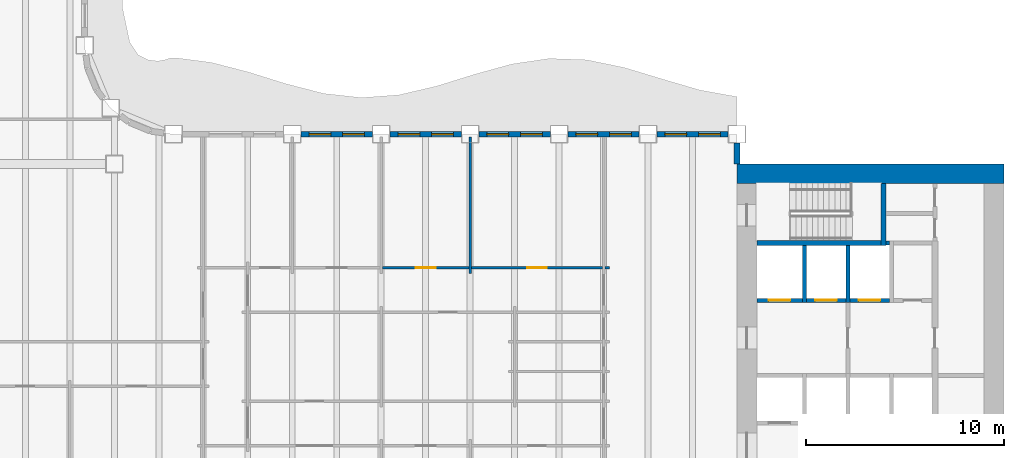
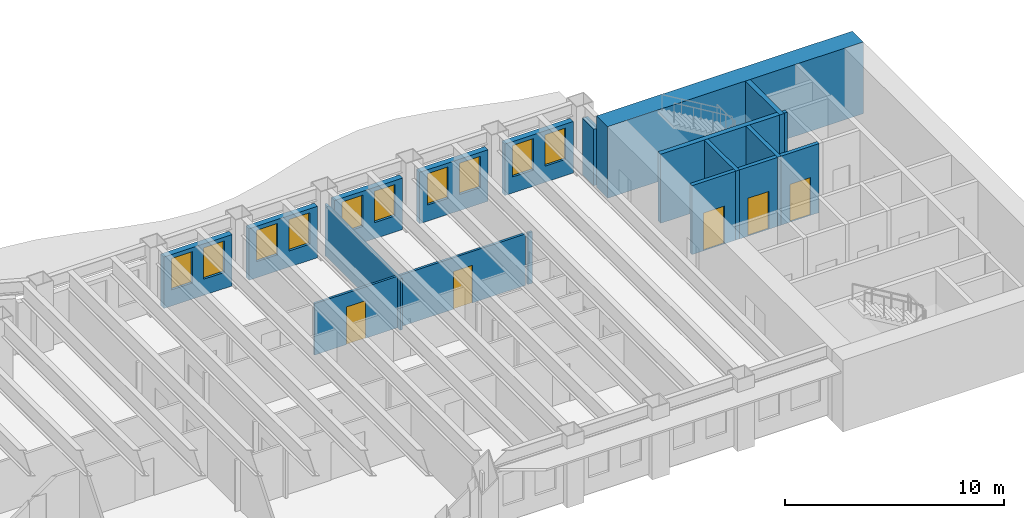
# One storey, part 7 of 16: 19 walls, 10 windows, 5 doors, 15 openings.
"""IFC4 building model written with IfcOpenShell, lengths in metres."""

from ifc_helpers import new_model, si_unit, direction, frame, frame_2d, origin, place, context, subcontext, project, spatial, rectangle, extrude, material, layer, layer_set, type_object, element, fill, save


model = new_model("IFC4")

# Units and contexts
model_context = context("Model", 3, precision=1e-05, world=origin(), true_north=direction((0.0, 1.0)))
body_context = subcontext(model_context, "Body", "Model", "MODEL_VIEW")
ifc_project = project(units=[si_unit("LENGTHUNIT", "METRE"), si_unit("AREAUNIT", "SQUARE_METRE"), si_unit("VOLUMEUNIT", "CUBIC_METRE"), si_unit("PLANEANGLEUNIT", "RADIAN"), si_unit("MASSUNIT", "GRAM", prefix="KILO")], contexts=[model_context])

# Site, building, storey
site_placement = place(None, origin())
site = spatial("IfcSite", under=ifc_project, at=site_placement, CompositionType="ELEMENT")
building_placement = place(site_placement, origin())
building = spatial("IfcBuilding", under=site, at=building_placement, Name="Sennacour Bend Tower", CompositionType="ELEMENT")
storey_placement = place(building_placement, frame((0.0, 0.0, 171.0)))
storey = spatial("IfcBuildingStorey", under=building, at=storey_placement, Name="L39", CompositionType="ELEMENT", Elevation=171.0)

# Walls
ifc_material_1 = material(Name="Concrete C60/75", Category="concrete")
ifc_layer_1 = layer(ifc_material_1, 1.0, Name="Concrete C60/75", Category="concrete")
ifc_layer_set_1 = layer_set([ifc_layer_1], Name="Concrete C60/75")
wall_type_1 = type_object("IfcWallType", Name="Core wall 1000 C60/75", PredefinedType="SHEAR", material=ifc_layer_set_1)
wall_1_placement = place(storey_placement, frame((54.0, 22.0, -0.14990234375), z_axis=(0.0, 0.0, 1.0), x_axis=(1.0, 0.0, 0.0)))
element("IfcWall", 1, at=wall_1_placement, inside=storey, type_object=wall_type_1, Name="Core A wall L39 N", PredefinedType="SHEAR", context=body_context, shape_type="SweptSolid", body=[
    extrude(rectangle(XDim=13.5, YDim=1.0, at=frame_2d((6.75, 0.0))), origin(), (0.0, 0.0, 1.0), 4.0),
])
ifc_material_2 = material(Name="Plasterboard partition on steel studs", Category="steel")
ifc_layer_2 = layer(ifc_material_2, 0.1201171875, Name="Plasterboard partition on steel studs", Category="steel")
ifc_layer_set_2 = layer_set([ifc_layer_2], Name="Plasterboard partition on steel studs")
wall_type_2 = type_object("IfcWallType", Name="Partition 120", PredefinedType="PARTITIONING", material=ifc_layer_set_2)
wall_2_placement = place(storey_placement, frame((40.5, 16.949951171875, 0.0), z_axis=(0.0, 0.0, 1.0), x_axis=(0.0, 1.0, 0.0)))
element("IfcWall", 2, at=wall_2_placement, inside=storey, type_object=wall_type_2, Name="P-L39-W034a", PredefinedType="PARTITIONING", context=body_context, shape_type="SweptSolid", body=[
    extrude(rectangle(XDim=6.900146484375, YDim=0.1201171875, at=frame_2d((3.4501953125, 0.0))), origin(), (0.0, 0.0, 1.0), 2.8701171875),
])

# Wall, opening, door
wall_3_placement = place(storey_placement, frame((36.06005859375, 17.25, 0.0), z_axis=(0.0, 0.0, 1.0), x_axis=(1.0, 0.0, 0.0)))
wall_3 = element("IfcWall", 3, at=wall_3_placement, inside=storey, type_object=wall_type_2, Name="P-L39-W073ae", PredefinedType="PARTITIONING", context=body_context, shape_type="SweptSolid", body=[
    extrude(rectangle(XDim=4.3798828125, YDim=0.1201171875, at=frame_2d((2.18994140625, 0.0))), origin(), (0.0, 0.0, 1.0), 2.8701171875),
])
opening_1_placement = place(wall_3_placement, frame((1.68994140625, 0.0, 0.0)))
opening_1 = element("IfcOpeningElement", 4, at=opening_1_placement, cuts=wall_3, Name="Opening MD2", PredefinedType="OPENING", context=body_context, shape_type="SweptSolid", body=[
    extrude(rectangle(XDim=1.0, YDim=2.10009765625, at=frame_2d((0.5, 1.050048828125))), frame((0.0, 0.070068359375, 0.0), z_axis=(0.0, -1.0, 0.0), x_axis=(1.0, 0.0, 0.0)), (0.0, 0.0, 1.0), 0.14013671875),
])
ifc_material_3 = material(Name="Timber", Category="wood")
door_type_1 = type_object("IfcDoorType", Name="DR-MEETING-1000", OperationType="NOTDEFINED", PredefinedType="DOOR", material=ifc_material_3)
door_1_placement = place(opening_1_placement, origin())
door_1 = element("IfcDoor", 5, at=door_1_placement, inside=storey, type_object=door_type_1, Name="Door", OperationType="SINGLE_SWING_LEFT", OverallHeight=2.10009765625, OverallWidth=1.0, PredefinedType="DOOR", context=body_context, shape_type="SweptSolid", body=[
    extrude(rectangle(XDim=1.0, YDim=2.10009765625, at=frame_2d((0.5, 1.050048828125))), frame((0.0, 0.02490234375, 0.0), z_axis=(0.0, -1.0, 0.0), x_axis=(1.0, 0.0, 0.0)), (0.0, 0.0, 1.0), 0.050048828125),
])
fill(opening_1, door_1)

wall_4_placement = place(storey_placement, frame((40.56005859375, 17.25, 0.0), z_axis=(0.0, 0.0, 1.0), x_axis=(1.0, 0.0, 0.0)))
wall_4 = element("IfcWall", 6, at=wall_4_placement, inside=storey, type_object=wall_type_2, Name="P-L39-W073af", PredefinedType="PARTITIONING", context=body_context, shape_type="SweptSolid", body=[
    extrude(rectangle(XDim=6.6298828125, YDim=0.1201171875, at=frame_2d((3.31494140625, 0.0))), origin(), (0.0, 0.0, 1.0), 2.8701171875),
])
opening_2_placement = place(wall_4_placement, frame((2.81494140625, 0.0, 0.0)))
opening_2 = element("IfcOpeningElement", 7, at=opening_2_placement, cuts=wall_4, Name="Opening OD2", PredefinedType="OPENING", context=body_context, shape_type="SweptSolid", body=[
    extrude(rectangle(XDim=1.0, YDim=2.10009765625, at=frame_2d((0.5, 1.050048828125))), frame((0.0, 0.070068359375, 0.0), z_axis=(0.0, -1.0, 0.0), x_axis=(1.0, 0.0, 0.0)), (0.0, 0.0, 1.0), 0.14013671875),
])
door_type_2 = type_object("IfcDoorType", Name="DR-OFFICE-1000", OperationType="NOTDEFINED", PredefinedType="DOOR", material=ifc_material_3)
door_2_placement = place(opening_2_placement, origin())
door_2 = element("IfcDoor", 8, at=door_2_placement, inside=storey, type_object=door_type_2, Name="Door", OperationType="SINGLE_SWING_LEFT", OverallHeight=2.10009765625, OverallWidth=1.0, PredefinedType="DOOR", context=body_context, shape_type="SweptSolid", body=[
    extrude(rectangle(XDim=1.0, YDim=2.10009765625, at=frame_2d((0.5, 1.050048828125))), frame((0.0, 0.02490234375, 0.0), z_axis=(0.0, -1.0, 0.0), x_axis=(1.0, 0.0, 0.0)), (0.0, 0.0, 1.0), 0.050048828125),
])
fill(opening_2, door_2)

# Walls
wall_5_placement = place(storey_placement, frame((47.31005859375, 17.25, 0.0), z_axis=(0.0, 0.0, 1.0), x_axis=(1.0, 0.0, 0.0)))
element("IfcWall", 9, at=wall_5_placement, inside=storey, type_object=wall_type_2, Name="P-L39-W073ag", PredefinedType="PARTITIONING", context=body_context, shape_type="SweptSolid", body=[
    extrude(rectangle(XDim=0.239990234375, YDim=0.1201171875, at=frame_2d((0.1201171875, 0.0))), origin(), (0.0, 0.0, 1.0), 2.8701171875),
])
ifc_material_4 = material(Name="Warm limestone cladding", Category="masonry")
ifc_layer_3 = layer(ifc_material_4, 0.050048828125, Name="Warm limestone cladding", Category="masonry")
ifc_material_5 = material(Name="Precast concrete C40/50", Category="concrete")
ifc_layer_4 = layer(ifc_material_5, 0.25, Name="Precast concrete C40/50", Category="concrete")
ifc_layer_set_3 = layer_set([ifc_layer_3, ifc_layer_4], Name="Precast concrete C40/50 with limestone cladding")
wall_type_3 = type_object("IfcWallType", Name="STONE-CLAD PRECAST SPANDREL 300", PredefinedType="STANDARD", material=ifc_layer_set_3)
wall_6_placement = place(storey_placement, frame((54.0, 22.5, 0.0), z_axis=(0.0, 0.0, 1.0), x_axis=(0.0, 1.0, 0.0)))
element("IfcWall", 10, at=wall_6_placement, inside=storey, type_object=wall_type_3, Name="Stone spandrel and pier wall L39 07.00", PredefinedType="STANDARD", context=body_context, shape_type="SweptSolid", body=[
    extrude(rectangle(XDim=1.050048828125, YDim=0.300048828125, at=frame_2d((0.52490234375, 0.0))), origin(), (0.0, 0.0, 1.0), 3.14892578125),
])

# Wall, openings, windows
wall_7_placement = place(storey_placement, frame((53.550048828125, 24.0, 0.0), z_axis=(0.0, 0.0, 1.0), x_axis=(-1.0, 0.0, 0.0)))
wall_7 = element("IfcWall", 11, at=wall_7_placement, inside=storey, type_object=wall_type_3, Name="Stone spandrel and pier wall L39 08.00", PredefinedType="STANDARD", context=body_context, shape_type="SweptSolid", body=[
    extrude(rectangle(XDim=3.60009765625, YDim=0.300048828125, at=frame_2d((1.800048828125, 0.0))), origin(), (0.0, 0.0, 1.0), 2.8701171875),
])
opening_3_placement = place(wall_7_placement, frame((0.39990234375, 0.0, 0.89990234375)))
opening_3 = element("IfcOpeningElement", 12, at=opening_3_placement, cuts=wall_7, Name="Opening W17", PredefinedType="OPENING", context=body_context, shape_type="SweptSolid", body=[
    extrude(rectangle(XDim=1.10009765625, YDim=1.75, at=frame_2d((0.550048828125, 0.875))), frame((0.0, 0.16015625, 0.0), z_axis=(0.0, -1.0, 0.0), x_axis=(1.0, 0.0, 0.0)), (0.0, 0.0, 1.0), 0.320068359375),
])
opening_4_placement = place(wall_7_placement, frame((2.10009765625, 0.0, 0.89990234375)))
opening_4 = element("IfcOpeningElement", 13, at=opening_4_placement, cuts=wall_7, Name="Opening W17", PredefinedType="OPENING", context=body_context, shape_type="SweptSolid", body=[
    extrude(rectangle(XDim=1.10009765625, YDim=1.75, at=frame_2d((0.550048828125, 0.875))), frame((0.0, 0.16015625, 0.0), z_axis=(0.0, -1.0, 0.0), x_axis=(1.0, 0.0, 0.0)), (0.0, 0.0, 1.0), 0.320068359375),
])
ifc_material_6 = material(Name="Clear low-emissivity glass", Category="glass")
window_type = type_object("IfcWindowType", Name="WIN-RIBBON-1100x1750", PartitioningType="SINGLE_PANEL", PredefinedType="WINDOW", material=ifc_material_6)
window_1_placement = place(opening_3_placement, origin())
window_1 = element("IfcWindow", 14, at=window_1_placement, inside=storey, type_object=window_type, Name="Ribbon window L39 08.00.0", OverallHeight=1.75, OverallWidth=1.10009765625, PartitioningType="SINGLE_PANEL", PredefinedType="WINDOW", context=body_context, shape_type="SweptSolid", body=[
    extrude(rectangle(XDim=1.10009765625, YDim=1.75, at=frame_2d((0.550048828125, 0.875))), frame((0.0, 0.030029296875, 0.0), z_axis=(0.0, -1.0, 0.0), x_axis=(1.0, 0.0, 0.0)), (0.0, 0.0, 1.0), 0.06005859375),
])
fill(opening_3, window_1)
window_2_placement = place(opening_4_placement, origin())
window_2 = element("IfcWindow", 15, at=window_2_placement, inside=storey, type_object=window_type, Name="Ribbon window L39 08.00.1", OverallHeight=1.75, OverallWidth=1.10009765625, PartitioningType="SINGLE_PANEL", PredefinedType="WINDOW", context=body_context, shape_type="SweptSolid", body=[
    extrude(rectangle(XDim=1.10009765625, YDim=1.75, at=frame_2d((0.550048828125, 0.875))), frame((0.0, 0.030029296875, 0.0), z_axis=(0.0, -1.0, 0.0), x_axis=(1.0, 0.0, 0.0)), (0.0, 0.0, 1.0), 0.06005859375),
])
fill(opening_4, window_2)

wall_8_placement = place(storey_placement, frame((49.050048828125, 24.0, 0.0), z_axis=(0.0, 0.0, 1.0), x_axis=(-1.0, 0.0, 0.0)))
wall_8 = element("IfcWall", 16, at=wall_8_placement, inside=storey, type_object=wall_type_3, Name="Stone spandrel and pier wall L39 08.01", PredefinedType="STANDARD", context=body_context, shape_type="SweptSolid", body=[
    extrude(rectangle(XDim=3.60009765625, YDim=0.300048828125, at=frame_2d((1.800048828125, 0.0))), origin(), (0.0, 0.0, 1.0), 2.8701171875),
])
opening_5_placement = place(wall_8_placement, frame((0.39990234375, 0.0, 0.89990234375)))
opening_5 = element("IfcOpeningElement", 17, at=opening_5_placement, cuts=wall_8, Name="Opening W17", PredefinedType="OPENING", context=body_context, shape_type="SweptSolid", body=[
    extrude(rectangle(XDim=1.10009765625, YDim=1.75, at=frame_2d((0.550048828125, 0.875))), frame((0.0, 0.16015625, 0.0), z_axis=(0.0, -1.0, 0.0), x_axis=(1.0, 0.0, 0.0)), (0.0, 0.0, 1.0), 0.320068359375),
])
opening_6_placement = place(wall_8_placement, frame((2.10009765625, 0.0, 0.89990234375)))
opening_6 = element("IfcOpeningElement", 18, at=opening_6_placement, cuts=wall_8, Name="Opening W17", PredefinedType="OPENING", context=body_context, shape_type="SweptSolid", body=[
    extrude(rectangle(XDim=1.10009765625, YDim=1.75, at=frame_2d((0.550048828125, 0.875))), frame((0.0, 0.16015625, 0.0), z_axis=(0.0, -1.0, 0.0), x_axis=(1.0, 0.0, 0.0)), (0.0, 0.0, 1.0), 0.320068359375),
])
window_3_placement = place(opening_5_placement, origin())
window_3 = element("IfcWindow", 19, at=window_3_placement, inside=storey, type_object=window_type, Name="Ribbon window L39 08.01.0", OverallHeight=1.75, OverallWidth=1.10009765625, PartitioningType="SINGLE_PANEL", PredefinedType="WINDOW", context=body_context, shape_type="SweptSolid", body=[
    extrude(rectangle(XDim=1.10009765625, YDim=1.75, at=frame_2d((0.550048828125, 0.875))), frame((0.0, 0.030029296875, 0.0), z_axis=(0.0, -1.0, 0.0), x_axis=(1.0, 0.0, 0.0)), (0.0, 0.0, 1.0), 0.06005859375),
])
fill(opening_5, window_3)
window_4_placement = place(opening_6_placement, origin())
window_4 = element("IfcWindow", 20, at=window_4_placement, inside=storey, type_object=window_type, Name="Ribbon window L39 08.01.1", OverallHeight=1.75, OverallWidth=1.10009765625, PartitioningType="SINGLE_PANEL", PredefinedType="WINDOW", context=body_context, shape_type="SweptSolid", body=[
    extrude(rectangle(XDim=1.10009765625, YDim=1.75, at=frame_2d((0.550048828125, 0.875))), frame((0.0, 0.030029296875, 0.0), z_axis=(0.0, -1.0, 0.0), x_axis=(1.0, 0.0, 0.0)), (0.0, 0.0, 1.0), 0.06005859375),
])
fill(opening_6, window_4)

wall_9_placement = place(storey_placement, frame((44.550048828125, 24.0, 0.0), z_axis=(0.0, 0.0, 1.0), x_axis=(-1.0, 0.0, 0.0)))
wall_9 = element("IfcWall", 21, at=wall_9_placement, inside=storey, type_object=wall_type_3, Name="Stone spandrel and pier wall L39 08.02", PredefinedType="STANDARD", context=body_context, shape_type="SweptSolid", body=[
    extrude(rectangle(XDim=3.60009765625, YDim=0.300048828125, at=frame_2d((1.800048828125, 0.0))), origin(), (0.0, 0.0, 1.0), 2.8701171875),
])
opening_7_placement = place(wall_9_placement, frame((0.39990234375, 0.0, 0.89990234375)))
opening_7 = element("IfcOpeningElement", 22, at=opening_7_placement, cuts=wall_9, Name="Opening W17", PredefinedType="OPENING", context=body_context, shape_type="SweptSolid", body=[
    extrude(rectangle(XDim=1.10009765625, YDim=1.75, at=frame_2d((0.550048828125, 0.875))), frame((0.0, 0.16015625, 0.0), z_axis=(0.0, -1.0, 0.0), x_axis=(1.0, 0.0, 0.0)), (0.0, 0.0, 1.0), 0.320068359375),
])
opening_8_placement = place(wall_9_placement, frame((2.10009765625, 0.0, 0.89990234375)))
opening_8 = element("IfcOpeningElement", 23, at=opening_8_placement, cuts=wall_9, Name="Opening W17", PredefinedType="OPENING", context=body_context, shape_type="SweptSolid", body=[
    extrude(rectangle(XDim=1.10009765625, YDim=1.75, at=frame_2d((0.550048828125, 0.875))), frame((0.0, 0.16015625, 0.0), z_axis=(0.0, -1.0, 0.0), x_axis=(1.0, 0.0, 0.0)), (0.0, 0.0, 1.0), 0.320068359375),
])
window_5_placement = place(opening_7_placement, origin())
window_5 = element("IfcWindow", 24, at=window_5_placement, inside=storey, type_object=window_type, Name="Ribbon window L39 08.02.0", OverallHeight=1.75, OverallWidth=1.10009765625, PartitioningType="SINGLE_PANEL", PredefinedType="WINDOW", context=body_context, shape_type="SweptSolid", body=[
    extrude(rectangle(XDim=1.10009765625, YDim=1.75, at=frame_2d((0.550048828125, 0.875))), frame((0.0, 0.030029296875, 0.0), z_axis=(0.0, -1.0, 0.0), x_axis=(1.0, 0.0, 0.0)), (0.0, 0.0, 1.0), 0.06005859375),
])
fill(opening_7, window_5)
window_6_placement = place(opening_8_placement, origin())
window_6 = element("IfcWindow", 25, at=window_6_placement, inside=storey, type_object=window_type, Name="Ribbon window L39 08.02.1", OverallHeight=1.75, OverallWidth=1.10009765625, PartitioningType="SINGLE_PANEL", PredefinedType="WINDOW", context=body_context, shape_type="SweptSolid", body=[
    extrude(rectangle(XDim=1.10009765625, YDim=1.75, at=frame_2d((0.550048828125, 0.875))), frame((0.0, 0.030029296875, 0.0), z_axis=(0.0, -1.0, 0.0), x_axis=(1.0, 0.0, 0.0)), (0.0, 0.0, 1.0), 0.06005859375),
])
fill(opening_8, window_6)

wall_10_placement = place(storey_placement, frame((40.050048828125, 24.0, 0.0), z_axis=(0.0, 0.0, 1.0), x_axis=(-1.0, 0.0, 0.0)))
wall_10 = element("IfcWall", 26, at=wall_10_placement, inside=storey, type_object=wall_type_3, Name="Stone spandrel and pier wall L39 08.03", PredefinedType="STANDARD", context=body_context, shape_type="SweptSolid", body=[
    extrude(rectangle(XDim=3.60009765625, YDim=0.300048828125, at=frame_2d((1.800048828125, 0.0))), origin(), (0.0, 0.0, 1.0), 2.8701171875),
])
opening_9_placement = place(wall_10_placement, frame((0.39990234375, 0.0, 0.89990234375)))
opening_9 = element("IfcOpeningElement", 27, at=opening_9_placement, cuts=wall_10, Name="Opening W17", PredefinedType="OPENING", context=body_context, shape_type="SweptSolid", body=[
    extrude(rectangle(XDim=1.10009765625, YDim=1.75, at=frame_2d((0.550048828125, 0.875))), frame((0.0, 0.16015625, 0.0), z_axis=(0.0, -1.0, 0.0), x_axis=(1.0, 0.0, 0.0)), (0.0, 0.0, 1.0), 0.320068359375),
])
opening_10_placement = place(wall_10_placement, frame((2.10009765625, 0.0, 0.89990234375)))
opening_10 = element("IfcOpeningElement", 28, at=opening_10_placement, cuts=wall_10, Name="Opening W17", PredefinedType="OPENING", context=body_context, shape_type="SweptSolid", body=[
    extrude(rectangle(XDim=1.10009765625, YDim=1.75, at=frame_2d((0.550048828125, 0.875))), frame((0.0, 0.16015625, 0.0), z_axis=(0.0, -1.0, 0.0), x_axis=(1.0, 0.0, 0.0)), (0.0, 0.0, 1.0), 0.320068359375),
])
window_7_placement = place(opening_9_placement, origin())
window_7 = element("IfcWindow", 29, at=window_7_placement, inside=storey, type_object=window_type, Name="Ribbon window L39 08.03.0", OverallHeight=1.75, OverallWidth=1.10009765625, PartitioningType="SINGLE_PANEL", PredefinedType="WINDOW", context=body_context, shape_type="SweptSolid", body=[
    extrude(rectangle(XDim=1.10009765625, YDim=1.75, at=frame_2d((0.550048828125, 0.875))), frame((0.0, 0.030029296875, 0.0), z_axis=(0.0, -1.0, 0.0), x_axis=(1.0, 0.0, 0.0)), (0.0, 0.0, 1.0), 0.06005859375),
])
fill(opening_9, window_7)
window_8_placement = place(opening_10_placement, origin())
window_8 = element("IfcWindow", 30, at=window_8_placement, inside=storey, type_object=window_type, Name="Ribbon window L39 08.03.1", OverallHeight=1.75, OverallWidth=1.10009765625, PartitioningType="SINGLE_PANEL", PredefinedType="WINDOW", context=body_context, shape_type="SweptSolid", body=[
    extrude(rectangle(XDim=1.10009765625, YDim=1.75, at=frame_2d((0.550048828125, 0.875))), frame((0.0, 0.030029296875, 0.0), z_axis=(0.0, -1.0, 0.0), x_axis=(1.0, 0.0, 0.0)), (0.0, 0.0, 1.0), 0.06005859375),
])
fill(opening_10, window_8)

wall_11_placement = place(storey_placement, frame((35.550048828125, 24.0, 0.0), z_axis=(0.0, 0.0, 1.0), x_axis=(-1.0, 0.0, 0.0)))
wall_11 = element("IfcWall", 31, at=wall_11_placement, inside=storey, type_object=wall_type_3, Name="Stone spandrel and pier wall L39 08.04", PredefinedType="STANDARD", context=body_context, shape_type="SweptSolid", body=[
    extrude(rectangle(XDim=3.60009765625, YDim=0.300048828125, at=frame_2d((1.800048828125, 0.0))), origin(), (0.0, 0.0, 1.0), 2.8701171875),
])
opening_11_placement = place(wall_11_placement, frame((0.39990234375, 0.0, 0.89990234375)))
opening_11 = element("IfcOpeningElement", 32, at=opening_11_placement, cuts=wall_11, Name="Opening W17", PredefinedType="OPENING", context=body_context, shape_type="SweptSolid", body=[
    extrude(rectangle(XDim=1.10009765625, YDim=1.75, at=frame_2d((0.550048828125, 0.875))), frame((0.0, 0.16015625, 0.0), z_axis=(0.0, -1.0, 0.0), x_axis=(1.0, 0.0, 0.0)), (0.0, 0.0, 1.0), 0.320068359375),
])
opening_12_placement = place(wall_11_placement, frame((2.10009765625, 0.0, 0.89990234375)))
opening_12 = element("IfcOpeningElement", 33, at=opening_12_placement, cuts=wall_11, Name="Opening W17", PredefinedType="OPENING", context=body_context, shape_type="SweptSolid", body=[
    extrude(rectangle(XDim=1.10009765625, YDim=1.75, at=frame_2d((0.550048828125, 0.875))), frame((0.0, 0.16015625, 0.0), z_axis=(0.0, -1.0, 0.0), x_axis=(1.0, 0.0, 0.0)), (0.0, 0.0, 1.0), 0.320068359375),
])
window_9_placement = place(opening_11_placement, origin())
window_9 = element("IfcWindow", 34, at=window_9_placement, inside=storey, type_object=window_type, Name="Ribbon window L39 08.04.0", OverallHeight=1.75, OverallWidth=1.10009765625, PartitioningType="SINGLE_PANEL", PredefinedType="WINDOW", context=body_context, shape_type="SweptSolid", body=[
    extrude(rectangle(XDim=1.10009765625, YDim=1.75, at=frame_2d((0.550048828125, 0.875))), frame((0.0, 0.030029296875, 0.0), z_axis=(0.0, -1.0, 0.0), x_axis=(1.0, 0.0, 0.0)), (0.0, 0.0, 1.0), 0.06005859375),
])
fill(opening_11, window_9)
window_10_placement = place(opening_12_placement, origin())
window_10 = element("IfcWindow", 35, at=window_10_placement, inside=storey, type_object=window_type, Name="Ribbon window L39 08.04.1", OverallHeight=1.75, OverallWidth=1.10009765625, PartitioningType="SINGLE_PANEL", PredefinedType="WINDOW", context=body_context, shape_type="SweptSolid", body=[
    extrude(rectangle(XDim=1.10009765625, YDim=1.75, at=frame_2d((0.550048828125, 0.875))), frame((0.0, 0.030029296875, 0.0), z_axis=(0.0, -1.0, 0.0), x_axis=(1.0, 0.0, 0.0)), (0.0, 0.0, 1.0), 0.06005859375),
])
fill(opening_12, window_10)

# Walls
ifc_material_7 = material(Name="Concrete C50/60", Category="concrete")
ifc_layer_5 = layer(ifc_material_7, 0.199951171875, Name="Concrete C50/60", Category="concrete")
ifc_layer_set_4 = layer_set([ifc_layer_5], Name="Concrete C50/60")
wall_type_4 = type_object("IfcWallType", Name="Shaft wall 200", PredefinedType="SOLIDWALL", material=ifc_layer_set_4)
for number, where, z_axis, x_axis, name in (
    (36, (57.39990234375, 15.5, 0.0), (0.0, 0.0, 1.0), (0.0, 1.0, 0.0), "P-L39-W039"),
    (37, (59.60009765625, 15.5, 0.0), (0.0, 0.0, 1.0), (0.0, 1.0, 0.0), "P-L39-W042"),
):
    element("IfcWall", number, at=place(storey_placement, frame(where, z_axis=z_axis, x_axis=x_axis)), inside=storey, type_object=wall_type_4, Name=name, PredefinedType="SOLIDWALL", context=body_context, shape_type="SweptSolid", body=[
        extrude(rectangle(XDim=2.875, YDim=0.199951171875, at=frame_2d((1.4375, 0.0))), origin(), (0.0, 0.0, 1.0), 3.85009765625),
    ])

# Wall, opening, door
wall_12_placement = place(storey_placement, frame((55.0, 15.60009765625, 0.0), z_axis=(0.0, 0.0, 1.0), x_axis=(1.0, 0.0, 0.0)))
wall_12 = element("IfcWall", 38, at=wall_12_placement, inside=storey, type_object=wall_type_4, Name="P-L39-W071a", PredefinedType="SOLIDWALL", context=body_context, shape_type="SweptSolid", body=[
    extrude(rectangle(XDim=2.300048828125, YDim=0.199951171875, at=frame_2d((1.14990234375, 0.0))), origin(), (0.0, 0.0, 1.0), 3.85009765625),
])
opening_13_placement = place(wall_12_placement, frame((0.60009765625, 0.0, 0.011962890625)))
opening_13 = element("IfcOpeningElement", 39, at=opening_13_placement, cuts=wall_12, Name="Opening FLD", PredefinedType="OPENING", context=body_context, shape_type="SweptSolid", body=[
    extrude(rectangle(XDim=1.10009765625, YDim=2.10009765625, at=frame_2d((0.550048828125, 1.050048828125))), frame((0.0, 0.10986328125, 0.0), z_axis=(0.0, -1.0, 0.0), x_axis=(1.0, 0.0, 0.0)), (0.0, 0.0, 1.0), 0.219970703125),
])
ifc_material_8 = material(Name="Stainless steel", Category="steel")
door_type_3 = type_object("IfcDoorType", Name="DR-FF-LANDING-1100", OperationType="NOTDEFINED", PredefinedType="DOOR", material=ifc_material_8)
door_3_placement = place(opening_13_placement, origin())
door_3 = element("IfcDoor", 40, at=door_3_placement, inside=storey, type_object=door_type_3, Name="Fire service lift landing door FA1", OperationType="SLIDING_TO_LEFT", OverallHeight=2.10009765625, OverallWidth=1.10009765625, PredefinedType="DOOR", context=body_context, shape_type="SweptSolid", body=[
    extrude(rectangle(XDim=1.10009765625, YDim=2.10009765625, at=frame_2d((0.550048828125, 1.050048828125))), frame((0.0, 0.02490234375, 0.0), z_axis=(0.0, -1.0, 0.0), x_axis=(1.0, 0.0, 0.0)), (0.0, 0.0, 1.0), 0.050048828125),
])
fill(opening_13, door_3)

wall_13_placement = place(storey_placement, frame((57.5, 15.60009765625, 0.0), z_axis=(0.0, 0.0, 1.0), x_axis=(1.0, 0.0, 0.0)))
wall_13 = element("IfcWall", 41, at=wall_13_placement, inside=storey, type_object=wall_type_4, Name="P-L39-W071b", PredefinedType="SOLIDWALL", context=body_context, shape_type="SweptSolid", body=[
    extrude(rectangle(XDim=2.0, YDim=0.199951171875, at=frame_2d((1.0, 0.0))), origin(), (0.0, 0.0, 1.0), 3.85009765625),
])
opening_14_placement = place(wall_13_placement, frame((0.449951171875, 0.0, 0.011962890625)))
opening_14 = element("IfcOpeningElement", 42, at=opening_14_placement, cuts=wall_13, Name="Opening FLD", PredefinedType="OPENING", context=body_context, shape_type="SweptSolid", body=[
    extrude(rectangle(XDim=1.10009765625, YDim=2.10009765625, at=frame_2d((0.550048828125, 1.050048828125))), frame((0.0, 0.10986328125, 0.0), z_axis=(0.0, -1.0, 0.0), x_axis=(1.0, 0.0, 0.0)), (0.0, 0.0, 1.0), 0.219970703125),
])
door_4_placement = place(opening_14_placement, origin())
door_4 = element("IfcDoor", 43, at=door_4_placement, inside=storey, type_object=door_type_3, Name="Fire service lift landing door FA2", OperationType="SLIDING_TO_RIGHT", OverallHeight=2.10009765625, OverallWidth=1.10009765625, PredefinedType="DOOR", context=body_context, shape_type="SweptSolid", body=[
    extrude(rectangle(XDim=1.10009765625, YDim=2.10009765625, at=frame_2d((0.550048828125, 1.050048828125))), frame((0.0, 0.02490234375, 0.0), z_axis=(0.0, -1.0, 0.0), x_axis=(1.0, 0.0, 0.0)), (0.0, 0.0, 1.0), 0.050048828125),
])
fill(opening_14, door_4)

wall_14_placement = place(storey_placement, frame((59.699951171875, 15.60009765625, 0.0), z_axis=(0.0, 0.0, 1.0), x_axis=(1.0, 0.0, 0.0)))
wall_14 = element("IfcWall", 44, at=wall_14_placement, inside=storey, type_object=wall_type_4, Name="P-L39-W071c", PredefinedType="SOLIDWALL", context=body_context, shape_type="SweptSolid", body=[
    extrude(rectangle(XDim=2.0, YDim=0.199951171875, at=frame_2d((1.0, 0.0))), origin(), (0.0, 0.0, 1.0), 3.85009765625),
])
opening_15_placement = place(wall_14_placement, frame((0.449951171875, 0.0, 0.011962890625)))
opening_15 = element("IfcOpeningElement", 45, at=opening_15_placement, cuts=wall_14, Name="Opening LD", PredefinedType="OPENING", context=body_context, shape_type="SweptSolid", body=[
    extrude(rectangle(XDim=1.10009765625, YDim=2.10009765625, at=frame_2d((0.550048828125, 1.050048828125))), frame((0.0, 0.10986328125, 0.0), z_axis=(0.0, -1.0, 0.0), x_axis=(1.0, 0.0, 0.0)), (0.0, 0.0, 1.0), 0.219970703125),
])
door_type_4 = type_object("IfcDoorType", Name="DR-LANDING-1100", OperationType="NOTDEFINED", PredefinedType="DOOR", material=ifc_material_8)
door_5_placement = place(opening_15_placement, origin())
door_5 = element("IfcDoor", 46, at=door_5_placement, inside=storey, type_object=door_type_4, Name="Lift landing door HA5", OperationType="SLIDING_TO_LEFT", OverallHeight=2.10009765625, OverallWidth=1.10009765625, PredefinedType="DOOR", context=body_context, shape_type="SweptSolid", body=[
    extrude(rectangle(XDim=1.10009765625, YDim=2.10009765625, at=frame_2d((0.550048828125, 1.050048828125))), frame((0.0, 0.02490234375, 0.0), z_axis=(0.0, -1.0, 0.0), x_axis=(1.0, 0.0, 0.0)), (0.0, 0.0, 1.0), 0.050048828125),
])
fill(opening_15, door_5)

# Walls
wall_15_placement = place(storey_placement, frame((61.52490234375, 18.5, 0.0), z_axis=(0.0, 0.0, 1.0), x_axis=(1.0, 0.0, 0.0)))
element("IfcWall", 47, at=wall_15_placement, inside=storey, type_object=wall_type_4, Name="P-L39-W075", PredefinedType="SOLIDWALL", context=body_context, shape_type="SweptSolid", body=[
    extrude(rectangle(XDim=0.175048828125, YDim=0.199951171875, at=frame_2d((0.08740234375, 0.0))), origin(), (0.0, 0.0, 1.0), 3.85009765625),
])
ifc_layer_6 = layer(ifc_material_1, 0.25, Name="Concrete C60/75", Category="concrete")
ifc_layer_set_5 = layer_set([ifc_layer_6], Name="Concrete C60/75")
wall_type_5 = type_object("IfcWallType", Name="Stair wall 250", PredefinedType="SHEAR", material=ifc_layer_set_5)
wall_16_placement = place(storey_placement, frame((61.39990234375, 18.375, 0.0), z_axis=(0.0, 0.0, 1.0), x_axis=(0.0, 1.0, 0.0)))
element("IfcWall", 48, at=wall_16_placement, inside=storey, type_object=wall_type_5, Name="P-L39-W044", PredefinedType="SHEAR", context=body_context, shape_type="SweptSolid", body=[
    extrude(rectangle(XDim=3.125, YDim=0.25, at=frame_2d((1.5625, 0.0))), origin(), (0.0, 0.0, 1.0), 3.85009765625),
])
wall_17_placement = place(storey_placement, frame((55.0, 18.5, 0.0), z_axis=(0.0, 0.0, 1.0), x_axis=(1.0, 0.0, 0.0)))
element("IfcWall", 49, at=wall_17_placement, inside=storey, type_object=wall_type_5, Name="P-L39-W074", PredefinedType="SHEAR", context=body_context, shape_type="SweptSolid", body=[
    extrude(rectangle(XDim=6.27490234375, YDim=0.25, at=frame_2d((3.137451171875, 0.0))), origin(), (0.0, 0.0, 1.0), 3.85009765625),
])

save(model, "model.ifc")
